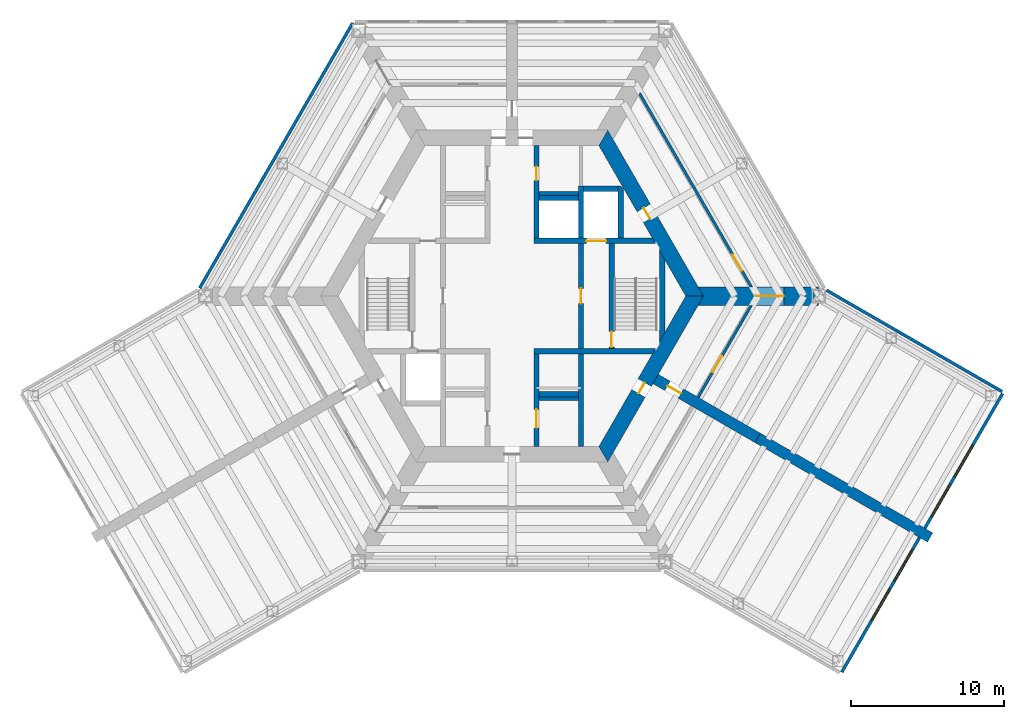
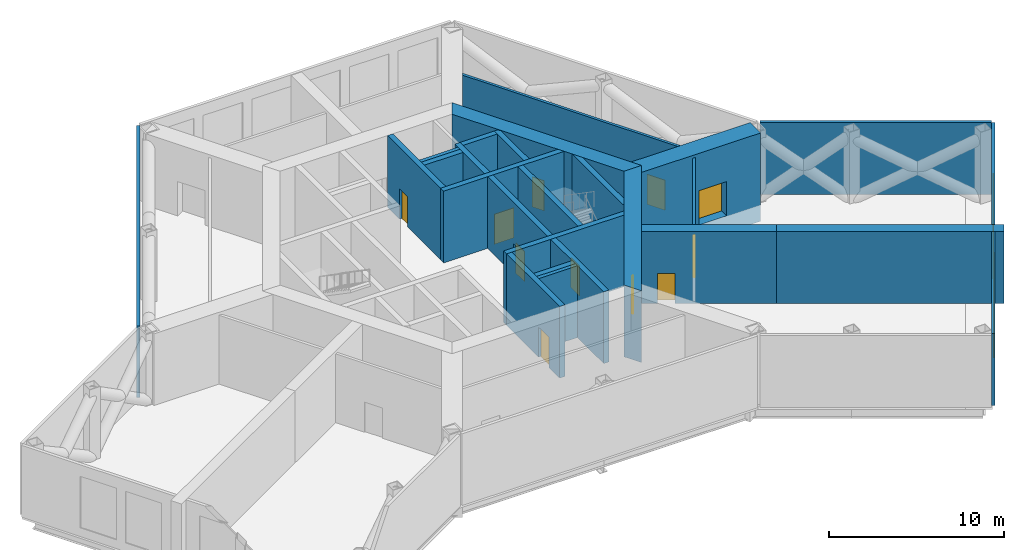
# One storey, part 5 of 8: 26 walls, 11 doors, 4 windows, 15 openings.
"""IFC4 building model written with IfcOpenShell, lengths in metres."""

from ifc_helpers import new_model, si_unit, direction, frame, frame_2d, origin, place, context, subcontext, project, spatial, polyline, rectangle, outline, extrude, material, layer, layer_set, type_object, element, fill, save


model = new_model("IFC4")

# Units and contexts
model_context = context("Model", 3, precision=1e-05, world=origin(), true_north=direction((0.0, 1.0)))
body_context = subcontext(model_context, "Body", "Model", "MODEL_VIEW")
ifc_project = project(units=[si_unit("LENGTHUNIT", "METRE"), si_unit("AREAUNIT", "SQUARE_METRE"), si_unit("VOLUMEUNIT", "CUBIC_METRE"), si_unit("PLANEANGLEUNIT", "RADIAN"), si_unit("MASSUNIT", "GRAM", prefix="KILO")], contexts=[model_context])

# Site, building, storey
site_placement = place(None, origin())
site = spatial("IfcSite", under=ifc_project, at=site_placement, CompositionType="ELEMENT")
building_placement = place(site_placement, origin())
building = spatial("IfcBuilding", under=site, at=building_placement, Name="Kasaneha Research Tower", CompositionType="ELEMENT")
storey_placement = place(building_placement, frame((0.0, 0.0, 203.300048828125)))
storey = spatial("IfcBuildingStorey", under=building, at=storey_placement, Name="L51", CompositionType="ELEMENT", Elevation=203.300048828125)

# Wall, opening, door
ifc_material_1 = material(Name="Concrete Fc70", Category="concrete")
ifc_layer_1 = layer(ifc_material_1, 0.35009765625)
ifc_layer_set_1 = layer_set([ifc_layer_1], Name="Core internal wall 350 Fc70")
wall_type_1 = type_object("IfcWallType", Name="Core internal wall 350 Fc70", PredefinedType="SHEAR", material=ifc_layer_set_1)
wall_1_placement = place(storey_placement, frame((1.425048828125, 3.60009765625, 0.0), z_axis=(0.0, 0.0, 1.0), x_axis=(1.0, 0.0, 0.0)))
wall_1 = element("IfcWall", 1, at=wall_1_placement, inside=storey, type_object=wall_type_1, Name="Core wall W1E L51", PredefinedType="SHEAR", context=body_context, shape_type="SweptSolid", body=[
    extrude(outline(polyline([(0.0, -0.175048828125), (3.425048828125, -0.175048828125), (4.72509765625, -0.175048828125), (7.9423828125, -0.175048828125), (7.740234375, 0.175048828125), (4.72509765625, 0.175048828125), (3.425048828125, 0.175048828125), (0.0, 0.175048828125), (0.0, -0.175048828125)])), origin(), (0.0, 0.0, 1.0), 5.0),
])
opening_1_placement = place(wall_1_placement, frame((3.425048828125, 0.0, 0.0)))
opening_1 = element("IfcOpeningElement", 2, at=opening_1_placement, cuts=wall_1, Name="Opening LD-FL1-L51", PredefinedType="OPENING", context=body_context, shape_type="SweptSolid", body=[
    extrude(rectangle(XDim=1.300048828125, YDim=2.10009765625, at=frame_2d((0.64990234375, 1.050048828125))), frame((0.0, 0.18505859375, 0.0), z_axis=(0.0, -1.0, 0.0), x_axis=(1.0, 0.0, 0.0)), (0.0, 0.0, 1.0), 0.3701171875),
])
ifc_material_2 = material(Name="Steel", Category="steel")
door_type_1 = type_object("IfcDoorType", Name="Lift landing door 1300x2100", OperationType="DOUBLE_DOOR_SLIDING", PredefinedType="DOOR", material=ifc_material_2)
door_1_placement = place(opening_1_placement, origin())
door_1 = element("IfcDoor", 3, at=door_1_placement, inside=storey, type_object=door_type_1, Name="Landing door FL1 LD-FL1-L51", OperationType="DOUBLE_DOOR_SLIDING", OverallHeight=2.10009765625, OverallWidth=1.300048828125, PredefinedType="DOOR", context=body_context, shape_type="SweptSolid", body=[
    extrude(rectangle(XDim=1.300048828125, YDim=2.10009765625, at=frame_2d((0.64990234375, 1.050048828125))), frame((0.0, 0.02490234375, 0.0), z_axis=(0.0, -1.0, 0.0), x_axis=(1.0, 0.0, 0.0)), (0.0, 0.0, 1.0), 0.050048828125),
])
fill(opening_1, door_1)

# Wall
wall_2_placement = place(storey_placement, frame((1.425048828125, -3.60009765625, 0.0), z_axis=(0.0, 0.0, 1.0), x_axis=(1.0, 0.0, 0.0)))
element("IfcWall", 4, at=wall_2_placement, inside=storey, type_object=wall_type_1, Name="Core wall W2E L51", PredefinedType="SHEAR", context=body_context, shape_type="SweptSolid", body=[
    extrude(outline(polyline([(0.0, -0.175048828125), (7.740234375, -0.175048828125), (7.9423828125, 0.175048828125), (0.0, 0.175048828125), (0.0, -0.175048828125)])), origin(), (0.0, 0.0, 1.0), 5.0),
])

# Wall, opening, door
wall_3_placement = place(storey_placement, frame((1.60009765625, 3.77490234375, 0.0), z_axis=(0.0, 0.0, 1.0), x_axis=(0.0, 1.0, 0.0)))
wall_3 = element("IfcWall", 5, at=wall_3_placement, inside=storey, type_object=wall_type_1, Name="Core wall CNE L51", PredefinedType="SHEAR", context=body_context, shape_type="SweptSolid", body=[
    extrude(rectangle(XDim=6.050048828125, YDim=0.35009765625, at=frame_2d((3.02490234375, 0.0))), origin(), (0.0, 0.0, 1.0), 5.0),
])
opening_2_placement = place(wall_3_placement, frame((3.77490234375, 0.0, 0.0)))
opening_2 = element("IfcOpeningElement", 6, at=opening_2_placement, cuts=wall_3, Name="Opening L51-D14", PredefinedType="OPENING", context=body_context, shape_type="SweptSolid", body=[
    extrude(rectangle(XDim=0.89990234375, YDim=2.10009765625, at=frame_2d((0.449951171875, 1.050048828125))), frame((0.0, 0.18505859375, 0.0), z_axis=(0.0, -1.0, 0.0), x_axis=(1.0, 0.0, 0.0)), (0.0, 0.0, 1.0), 0.3701171875),
])
ifc_material_3 = material(Name="Steel", Category="steel")
door_type_2 = type_object("IfcDoorType", Name="Toilet door FD20 900x2100", OperationType="NOTDEFINED", PredefinedType="DOOR", material=ifc_material_3)
door_2_placement = place(opening_2_placement, origin())
door_2 = element("IfcDoor", 7, at=door_2_placement, inside=storey, type_object=door_type_2, Name="Women's WC door L51-D14", OperationType="SINGLE_SWING_LEFT", OverallHeight=2.10009765625, OverallWidth=0.89990234375, PredefinedType="DOOR", context=body_context, shape_type="SweptSolid", body=[
    extrude(rectangle(XDim=0.89990234375, YDim=2.10009765625, at=frame_2d((0.449951171875, 1.050048828125))), frame((0.0, 0.02490234375, 0.0), z_axis=(0.0, -1.0, 0.0), x_axis=(1.0, 0.0, 0.0)), (0.0, 0.0, 1.0), 0.050048828125),
])
fill(opening_2, door_2)

wall_4_placement = place(storey_placement, frame((1.60009765625, -3.77490234375, 0.0), z_axis=(0.0, 0.0, 1.0), x_axis=(0.0, -1.0, 0.0)))
wall_4 = element("IfcWall", 8, at=wall_4_placement, inside=storey, type_object=wall_type_1, Name="Core wall CSE L51", PredefinedType="SHEAR", context=body_context, shape_type="SweptSolid", body=[
    extrude(rectangle(XDim=6.050048828125, YDim=0.35009765625, at=frame_2d((3.02490234375, 0.0))), origin(), (0.0, 0.0, 1.0), 5.0),
])
opening_3_placement = place(wall_4_placement, frame((3.625, 0.0, 0.0)))
opening_3 = element("IfcOpeningElement", 9, at=opening_3_placement, cuts=wall_4, Name="Opening L51-D15", PredefinedType="OPENING", context=body_context, shape_type="SweptSolid", body=[
    extrude(rectangle(XDim=1.199951171875, YDim=2.10009765625, at=frame_2d((0.60009765625, 1.050048828125))), frame((0.0, 0.18505859375, 0.0), z_axis=(0.0, -1.0, 0.0), x_axis=(1.0, 0.0, 0.0)), (0.0, 0.0, 1.0), 0.3701171875),
])
ifc_material_4 = material(Name="Steel", Category="steel")
door_type_3 = type_object("IfcDoorType", Name="Accessible toilet sliding door FD20 1200x2100", OperationType="SLIDING_TO_LEFT", PredefinedType="DOOR", material=ifc_material_4)
door_3_placement = place(opening_3_placement, origin())
door_3 = element("IfcDoor", 10, at=door_3_placement, inside=storey, type_object=door_type_3, Name="Accessible WC door L51-D15", OperationType="SLIDING_TO_LEFT", OverallHeight=2.10009765625, OverallWidth=1.199951171875, PredefinedType="DOOR", context=body_context, shape_type="SweptSolid", body=[
    extrude(rectangle(XDim=1.199951171875, YDim=2.10009765625, at=frame_2d((0.60009765625, 1.050048828125))), frame((0.0, 0.02490234375, 0.0), z_axis=(0.0, -1.0, 0.0), x_axis=(1.0, 0.0, 0.0)), (0.0, 0.0, 1.0), 0.050048828125),
])
fill(opening_3, door_3)

wall_5_placement = place(storey_placement, frame((4.5, -3.425048828125, 0.0), z_axis=(0.0, 0.0, 1.0), x_axis=(0.0, 1.0, 0.0)))
wall_5 = element("IfcWall", 11, at=wall_5_placement, inside=storey, type_object=wall_type_1, Name="Core wall LBE L51", PredefinedType="SHEAR", context=body_context, shape_type="SweptSolid", body=[
    extrude(rectangle(XDim=6.85009765625, YDim=0.35009765625, at=frame_2d((3.425048828125, 0.0))), origin(), (0.0, 0.0, 1.0), 5.0),
])
opening_4_placement = place(wall_5_placement, frame((2.925048828125, 0.0, 0.0)))
opening_4 = element("IfcOpeningElement", 12, at=opening_4_placement, cuts=wall_5, Name="Opening L51-D08", PredefinedType="OPENING", context=body_context, shape_type="SweptSolid", body=[
    extrude(rectangle(XDim=1.0, YDim=2.10009765625, at=frame_2d((0.5, 1.050048828125))), frame((0.0, 0.18505859375, 0.0), z_axis=(0.0, -1.0, 0.0), x_axis=(1.0, 0.0, 0.0)), (0.0, 0.0, 1.0), 0.3701171875),
])
ifc_material_5 = material(Name="Steel", Category="steel")
door_type_4 = type_object("IfcDoorType", Name="Specified fire door FD60 1000x2100", OperationType="NOTDEFINED", PredefinedType="DOOR", material=ifc_material_5)
door_4_placement = place(opening_4_placement, origin())
door_4 = element("IfcDoor", 13, at=door_4_placement, inside=storey, type_object=door_type_4, Name="Lift lobby door east L51-D08", OperationType="SINGLE_SWING_LEFT", OverallHeight=2.10009765625, OverallWidth=1.0, PredefinedType="DOOR", context=body_context, shape_type="SweptSolid", body=[
    extrude(rectangle(XDim=1.0, YDim=2.10009765625, at=frame_2d((0.5, 1.050048828125))), frame((0.0, 0.02490234375, 0.0), z_axis=(0.0, -1.0, 0.0), x_axis=(1.0, 0.0, 0.0)), (0.0, 0.0, 1.0), 0.050048828125),
])
fill(opening_4, door_4)

wall_6_placement = place(storey_placement, frame((6.5, -3.425048828125, 0.0), z_axis=(0.0, 0.0, 1.0), x_axis=(0.0, 1.0, 0.0)))
wall_6 = element("IfcWall", 14, at=wall_6_placement, inside=storey, type_object=wall_type_1, Name="Core wall ANE L51", PredefinedType="SHEAR", context=body_context, shape_type="SweptSolid", body=[
    extrude(rectangle(XDim=6.85009765625, YDim=0.35009765625, at=frame_2d((3.425048828125, 0.0))), origin(), (0.0, 0.0, 1.0), 5.0),
])
opening_5_placement = place(wall_6_placement, frame((0.10009765625, 0.0, 0.0)))
opening_5 = element("IfcOpeningElement", 15, at=opening_5_placement, cuts=wall_6, Name="Opening L51-D10", PredefinedType="OPENING", context=body_context, shape_type="SweptSolid", body=[
    extrude(rectangle(XDim=1.0, YDim=2.10009765625, at=frame_2d((0.5, 1.050048828125))), frame((0.0, 0.18505859375, 0.0), z_axis=(0.0, -1.0, 0.0), x_axis=(1.0, 0.0, 0.0)), (0.0, 0.0, 1.0), 0.3701171875),
])
door_5_placement = place(opening_5_placement, origin())
door_5 = element("IfcDoor", 16, at=door_5_placement, inside=storey, type_object=door_type_4, Name="Stair 1 door L51-D10", OperationType="SINGLE_SWING_LEFT", OverallHeight=2.10009765625, OverallWidth=1.0, PredefinedType="DOOR", context=body_context, shape_type="SweptSolid", body=[
    extrude(rectangle(XDim=1.0, YDim=2.10009765625, at=frame_2d((0.5, 1.050048828125))), frame((0.0, 0.02490234375, 0.0), z_axis=(0.0, -1.0, 0.0), x_axis=(1.0, 0.0, 0.0)), (0.0, 0.0, 1.0), 0.050048828125),
])
fill(opening_5, door_5)

# Walls
wall_7_placement = place(storey_placement, frame((4.5, 3.77490234375, 0.0), z_axis=(0.0, 0.0, 1.0), x_axis=(0.0, 1.0, 0.0)))
element("IfcWall", 17, at=wall_7_placement, inside=storey, type_object=wall_type_1, Name="Core wall FNE L51", PredefinedType="SHEAR", context=body_context, shape_type="SweptSolid", body=[
    extrude(rectangle(XDim=3.400146484375, YDim=0.35009765625, at=frame_2d((1.7001953125, 0.0))), origin(), (0.0, 0.0, 1.0), 5.0),
])
wall_8_placement = place(storey_placement, frame((4.5, -3.77490234375, 0.0), z_axis=(0.0, 0.0, 1.0), x_axis=(0.0, -1.0, 0.0)))
element("IfcWall", 18, at=wall_8_placement, inside=storey, type_object=wall_type_1, Name="Core wall SSE L51", PredefinedType="SHEAR", context=body_context, shape_type="SweptSolid", body=[
    extrude(rectangle(XDim=6.050048828125, YDim=0.35009765625, at=frame_2d((3.02490234375, 0.0))), origin(), (0.0, 0.0, 1.0), 5.0),
])
for number, where, z_axis, x_axis, name in (
    (19, (1.77490234375, 6.39990234375, 0.0), (0.0, 0.0, 1.0), (1.0, 0.0, 0.0), "Core wall N3N L51"),
    (20, (1.77490234375, -6.39990234375, 0.0), (0.0, 0.0, 1.0), (1.0, 0.0, 0.0), "Core wall S3S L51"),
):
    element("IfcWall", number, at=place(storey_placement, frame(where, z_axis=z_axis, x_axis=x_axis)), inside=storey, type_object=wall_type_1, Name=name, PredefinedType="SHEAR", context=body_context, shape_type="SweptSolid", body=[
        extrude(rectangle(XDim=2.550048828125, YDim=0.35009765625, at=frame_2d((1.27490234375, 0.0))), origin(), (0.0, 0.0, 1.0), 5.0),
    ])
wall_9_placement = place(storey_placement, frame((4.675048828125, 7.0, 0.0), z_axis=(0.0, 0.0, 1.0), x_axis=(1.0, 0.0, 0.0)))
element("IfcWall", 21, at=wall_9_placement, inside=storey, type_object=wall_type_1, Name="Core wall F1N L51", PredefinedType="SHEAR", context=body_context, shape_type="SweptSolid", body=[
    extrude(rectangle(XDim=2.25, YDim=0.35009765625, at=frame_2d((1.125, 0.0))), origin(), (0.0, 0.0, 1.0), 5.0),
])
wall_10_placement = place(storey_placement, frame((7.10009765625, 3.77490234375, 0.0), z_axis=(0.0, 0.0, 1.0), x_axis=(0.0, 1.0, 0.0)))
element("IfcWall", 22, at=wall_10_placement, inside=storey, type_object=wall_type_1, Name="Core wall F1E L51", PredefinedType="SHEAR", context=body_context, shape_type="SweptSolid", body=[
    extrude(outline(polyline([(0.0, -0.175048828125), (3.2744140625, -0.175048828125), (3.400146484375, 0.0), (3.400146484375, 0.175048828125), (0.0, 0.175048828125), (0.0, -0.175048828125)])), origin(), (0.0, 0.0, 1.0), 5.0),
])
wall_11_placement = place(storey_placement, frame((9.807861328125, -2.662353515625, 0.0), z_axis=(0.0, 0.0, 1.0), x_axis=(0.0, 1.0, 0.0)))
element("IfcWall", 23, at=wall_11_placement, inside=storey, type_object=wall_type_1, Name="Core wall STE L51", PredefinedType="SHEAR", context=body_context, shape_type="SweptSolid", body=[
    extrude(outline(polyline([(0.30322265625, -0.175048828125), (5.021484375, -0.175048828125), (5.6279296875, 0.175048828125), (-0.30322265625, 0.175048828125), (0.30322265625, -0.175048828125)])), origin(), (0.0, 0.0, 1.0), 5.0),
])

# Wall, opening, door
ifc_material_6 = material(Name="Concrete Fc70", Category="concrete")
ifc_layer_2 = layer(ifc_material_6, 1.0)
ifc_layer_set_2 = layer_set([ifc_layer_2], Name="Core wall 1000 Fc70")
wall_type_2 = type_object("IfcWallType", Name="Core wall 1000 Fc70", PredefinedType="SHEAR", material=ifc_layer_set_2)
wall_12_placement = place(storey_placement, frame((11.92236328125, 0.0, 0.0), z_axis=(0.0, 0.0, 1.0), x_axis=(-0.500004296715, 0.866022923061, 0.0)))
wall_12 = element("IfcWall", 24, at=wall_12_placement, inside=storey, type_object=wall_type_2, Name="Core wall 030 L51", PredefinedType="SHEAR", context=body_context, shape_type="SweptSolid", body=[
    extrude(outline(polyline([(-0.28857421875, -0.5), (5.83544921875, -0.5), (6.635498046875, -0.5), (12.2109375, -0.5), (11.6337890625, 0.5), (6.635498046875, 0.5), (5.83544921875, 0.5), (0.28857421875, 0.5), (-0.28857421875, -0.5)])), origin(), (0.0, 0.0, 1.0), 5.0),
])
opening_6_placement = place(wall_12_placement, frame((5.83544921875, 0.0, 0.0)))
opening_6 = element("IfcOpeningElement", 25, at=opening_6_placement, cuts=wall_12, Name="Opening L51-D04", PredefinedType="OPENING", context=body_context, shape_type="SweptSolid", body=[
    extrude(rectangle(XDim=0.800048828125, YDim=2.10009765625, at=frame_2d((0.39990234375, 1.050048828125))), frame((0.0, 0.510009765625, 0.0), z_axis=(0.0, -1.0, 0.0), x_axis=(1.0, 0.0, 0.0)), (0.0, 0.0, 1.0), 1.02001953125),
])
ifc_material_7 = material(Name="Steel", Category="steel")
door_type_5 = type_object("IfcDoorType", Name="Riser access door FD60 800x2100", OperationType="NOTDEFINED", PredefinedType="DOOR", material=ifc_material_7)
door_6_placement = place(opening_6_placement, origin())
door_6 = element("IfcDoor", 26, at=door_6_placement, inside=storey, type_object=door_type_5, Name="Pipe riser door L51-D04", OperationType="SINGLE_SWING_RIGHT", OverallHeight=2.10009765625, OverallWidth=0.800048828125, PredefinedType="DOOR", context=body_context, shape_type="SweptSolid", body=[
    extrude(rectangle(XDim=0.800048828125, YDim=2.10009765625, at=frame_2d((0.39990234375, 1.050048828125))), frame((0.0, 0.02490234375, 0.0), z_axis=(0.0, -1.0, 0.0), x_axis=(1.0, 0.0, 0.0)), (0.0, 0.0, 1.0), 0.050048828125),
])
fill(opening_6, door_6)

wall_13_placement = place(storey_placement, frame((5.961181640625, -10.324951171875, 0.0), z_axis=(0.0, 0.0, 1.0), x_axis=(0.500004296715, 0.866022923061, 0.0)))
wall_13 = element("IfcWall", 27, at=wall_13_placement, inside=storey, type_object=wall_type_2, Name="Core wall 330 L51", PredefinedType="SHEAR", context=body_context, shape_type="SweptSolid", body=[
    extrude(outline(polyline([(-0.28857421875, -0.5), (4.593994140625, -0.5), (5.39404296875, -0.5), (12.2109375, -0.5), (11.6337890625, 0.5), (5.39404296875, 0.5), (4.593994140625, 0.5), (0.28857421875, 0.5), (-0.28857421875, -0.5)])), origin(), (0.0, 0.0, 1.0), 5.0),
])
opening_7_placement = place(wall_13_placement, frame((4.593994140625, 0.0, 0.0)))
opening_7 = element("IfcOpeningElement", 28, at=opening_7_placement, cuts=wall_13, Name="Opening L51-D05", PredefinedType="OPENING", context=body_context, shape_type="SweptSolid", body=[
    extrude(rectangle(XDim=0.800048828125, YDim=2.10009765625, at=frame_2d((0.39990234375, 1.050048828125))), frame((0.0, 0.510009765625, 0.0), z_axis=(0.0, -1.0, 0.0), x_axis=(1.0, 0.0, 0.0)), (0.0, 0.0, 1.0), 1.02001953125),
])
door_7_placement = place(opening_7_placement, origin())
door_7 = element("IfcDoor", 29, at=door_7_placement, inside=storey, type_object=door_type_5, Name="Pipe riser door L51-D05", OperationType="SINGLE_SWING_LEFT", OverallHeight=2.10009765625, OverallWidth=0.800048828125, PredefinedType="DOOR", context=body_context, shape_type="SweptSolid", body=[
    extrude(rectangle(XDim=0.800048828125, YDim=2.10009765625, at=frame_2d((0.39990234375, 1.050048828125))), frame((0.0, 0.02490234375, 0.0), z_axis=(0.0, -1.0, 0.0), x_axis=(1.0, 0.0, 0.0)), (0.0, 0.0, 1.0), 0.050048828125),
])
fill(opening_7, door_7)

# Wall, openings, windows
ifc_material_8 = material(Name="Terracotta cladding on steel frame", Category="masonry")
ifc_layer_3 = layer(ifc_material_8, 0.199951171875)
ifc_layer_set_3 = layer_set([ifc_layer_3], Name="Louvred plant wall 200")
wall_type_3 = type_object("IfcWallType", Name="Louvred plant wall 200", PredefinedType="ELEMENTEDWALL", material=ifc_layer_set_3)
wall_14_placement = place(storey_placement, frame((21.52783203125, -24.553466796875, 0.0), z_axis=(0.0, 0.0, 1.0), x_axis=(0.500019499409, 0.866014145503, 0.0)))
wall_14 = element("IfcWall", 30, at=wall_14_placement, inside=storey, type_object=wall_type_3, Name="Louvred plant wall L51", PredefinedType="ELEMENTEDWALL", context=body_context, shape_type="SweptSolid", body=[
    extrude(rectangle(XDim=10.14990234375, YDim=0.199951171875, at=frame_2d((5.074951171875, 0.0))), origin(), (0.0, 0.0, 1.0), 5.0),
])
opening_8_placement = place(wall_14_placement, frame((3.88330078125, 0.0, 0.60009765625)))
opening_8 = element("IfcOpeningElement", 31, at=opening_8_placement, cuts=wall_14, Name="Opening LV4", PredefinedType="OPENING", context=body_context, shape_type="SweptSolid", body=[
    extrude(rectangle(XDim=2.38330078125, YDim=3.60009765625, at=frame_2d((1.191650390625, 1.800048828125))), frame((0.0, 0.10986328125, 0.0), z_axis=(0.0, -1.0, 0.0), x_axis=(1.0, 0.0, 0.0)), (0.0, 0.0, 1.0), 0.219970703125),
])
opening_9_placement = place(wall_14_placement, frame((6.86669921875, 0.0, 0.60009765625)))
opening_9 = element("IfcOpeningElement", 32, at=opening_9_placement, cuts=wall_14, Name="Opening LV4", PredefinedType="OPENING", context=body_context, shape_type="SweptSolid", body=[
    extrude(rectangle(XDim=2.38330078125, YDim=3.60009765625, at=frame_2d((1.191650390625, 1.800048828125))), frame((0.0, 0.10986328125, 0.0), z_axis=(0.0, -1.0, 0.0), x_axis=(1.0, 0.0, 0.0)), (0.0, 0.0, 1.0), 0.219970703125),
])
ifc_material_9 = material(Name="Aluminium 6063-T6", Category="aluminium")
window_type = type_object("IfcWindowType", Name="Louvre 2383x3600", PartitioningType="SINGLE_PANEL", PredefinedType="USERDEFINED", material=ifc_material_9)
window_1_placement = place(opening_8_placement, origin())
window_1 = element("IfcWindow", 33, at=window_1_placement, inside=storey, type_object=window_type, Name="Plant louvre L51 2", ObjectType="LOUVRE", OverallHeight=3.60009765625, OverallWidth=2.38330078125, PartitioningType="SINGLE_PANEL", PredefinedType="USERDEFINED", context=body_context, shape_type="SweptSolid", body=[
    extrude(rectangle(XDim=2.38330078125, YDim=3.60009765625, at=frame_2d((1.191650390625, 1.800048828125))), frame((0.0, 0.030029296875, 0.0), z_axis=(0.0, -1.0, 0.0), x_axis=(1.0, 0.0, 0.0)), (0.0, 0.0, 1.0), 0.06005859375),
])
fill(opening_8, window_1)
window_2_placement = place(opening_9_placement, origin())
window_2 = element("IfcWindow", 34, at=window_2_placement, inside=storey, type_object=window_type, Name="Plant louvre L51 3", ObjectType="LOUVRE", OverallHeight=3.60009765625, OverallWidth=2.38330078125, PartitioningType="SINGLE_PANEL", PredefinedType="USERDEFINED", context=body_context, shape_type="SweptSolid", body=[
    extrude(rectangle(XDim=2.38330078125, YDim=3.60009765625, at=frame_2d((1.191650390625, 1.800048828125))), frame((0.0, 0.030029296875, 0.0), z_axis=(0.0, -1.0, 0.0), x_axis=(1.0, 0.0, 0.0)), (0.0, 0.0, 1.0), 0.06005859375),
])
fill(opening_9, window_2)

wall_15_placement = place(storey_placement, frame((26.952880859375, -15.1572265625, 0.0), z_axis=(0.0, 0.0, 1.0), x_axis=(0.499991044257, 0.866030574324, 0.0)))
wall_15 = element("IfcWall", 35, at=wall_15_placement, inside=storey, type_object=wall_type_3, Name="Louvred plant wall L51", PredefinedType="ELEMENTEDWALL", context=body_context, shape_type="SweptSolid", body=[
    extrude(rectangle(XDim=10.150146484375, YDim=0.199951171875, at=frame_2d((5.0751953125, 0.0))), origin(), (0.0, 0.0, 1.0), 5.0),
])
opening_10_placement = place(wall_15_placement, frame((0.89990234375, 0.0, 0.60009765625)))
opening_10 = element("IfcOpeningElement", 36, at=opening_10_placement, cuts=wall_15, Name="Opening LV4", PredefinedType="OPENING", context=body_context, shape_type="SweptSolid", body=[
    extrude(rectangle(XDim=2.38330078125, YDim=3.60009765625, at=frame_2d((1.191650390625, 1.800048828125))), frame((0.0, 0.10986328125, 0.0), z_axis=(0.0, -1.0, 0.0), x_axis=(1.0, 0.0, 0.0)), (0.0, 0.0, 1.0), 0.219970703125),
])
opening_11_placement = place(wall_15_placement, frame((3.88330078125, 0.0, 0.60009765625)))
opening_11 = element("IfcOpeningElement", 37, at=opening_11_placement, cuts=wall_15, Name="Opening LV4", PredefinedType="OPENING", context=body_context, shape_type="SweptSolid", body=[
    extrude(rectangle(XDim=2.38330078125, YDim=3.60009765625, at=frame_2d((1.191650390625, 1.800048828125))), frame((0.0, 0.10986328125, 0.0), z_axis=(0.0, -1.0, 0.0), x_axis=(1.0, 0.0, 0.0)), (0.0, 0.0, 1.0), 0.219970703125),
])
window_3_placement = place(opening_10_placement, origin())
window_3 = element("IfcWindow", 38, at=window_3_placement, inside=storey, type_object=window_type, Name="Plant louvre L51 1", ObjectType="LOUVRE", OverallHeight=3.60009765625, OverallWidth=2.38330078125, PartitioningType="SINGLE_PANEL", PredefinedType="USERDEFINED", context=body_context, shape_type="SweptSolid", body=[
    extrude(rectangle(XDim=2.38330078125, YDim=3.60009765625, at=frame_2d((1.191650390625, 1.800048828125))), frame((0.0, 0.030029296875, 0.0), z_axis=(0.0, -1.0, 0.0), x_axis=(1.0, 0.0, 0.0)), (0.0, 0.0, 1.0), 0.06005859375),
])
fill(opening_10, window_3)
window_4_placement = place(opening_11_placement, origin())
window_4 = element("IfcWindow", 39, at=window_4_placement, inside=storey, type_object=window_type, Name="Plant louvre L51 2", ObjectType="LOUVRE", OverallHeight=3.60009765625, OverallWidth=2.38330078125, PartitioningType="SINGLE_PANEL", PredefinedType="USERDEFINED", context=body_context, shape_type="SweptSolid", body=[
    extrude(rectangle(XDim=2.38330078125, YDim=3.60009765625, at=frame_2d((1.191650390625, 1.800048828125))), frame((0.0, 0.030029296875, 0.0), z_axis=(0.0, -1.0, 0.0), x_axis=(1.0, 0.0, 0.0)), (0.0, 0.0, 1.0), 0.06005859375),
])
fill(opening_11, window_4)

# Walls
wall_16_placement = place(storey_placement, frame((31.991455078125, -6.23046875, 0.0), z_axis=(0.0, 0.0, 1.0), x_axis=(-0.86602620781, 0.499998607384, 0.0)))
element("IfcWall", 40, at=wall_16_placement, inside=storey, type_object=wall_type_3, Name="Louvred plant wall L51", PredefinedType="ELEMENTEDWALL", context=body_context, shape_type="SweptSolid", body=[
    extrude(rectangle(XDim=13.2392578125, YDim=0.199951171875, at=frame_2d((6.61962890625, 0.0))), origin(), (0.0, 0.0, 1.0), 5.0),
])
wall_17_placement = place(storey_placement, frame((-10.396484375, 17.833984375, 0.0), z_axis=(0.0, 0.0, 1.0), x_axis=(-0.499993861681, -0.866028947716, 0.0)))
element("IfcWall", 41, at=wall_17_placement, inside=storey, type_object=wall_type_3, Name="Louvred plant wall L51", PredefinedType="ELEMENTEDWALL", context=body_context, shape_type="SweptSolid", body=[
    extrude(rectangle(XDim=19.985595703125, YDim=0.199951171875, at=frame_2d((9.99267578125, 0.0))), origin(), (0.0, 0.0, 1.0), 5.0),
])

# Wall, opening, door
ifc_material_10 = material(Name="Concrete Fc70", Category="concrete")
ifc_layer_4 = layer(ifc_material_10, 1.199951171875)
ifc_layer_set_4 = layer_set([ifc_layer_4], Name="Outrigger wall 1200 Fc70")
wall_type_4 = type_object("IfcWallType", Name="Outrigger wall 1200 Fc70", PredefinedType="SHEAR", material=ifc_layer_set_4)
wall_18_placement = place(storey_placement, frame((12.49951171875, 0.0, -1.150146484375), z_axis=(0.0, 0.0, 1.0), x_axis=(1.0, 0.0, 0.0)))
wall_18 = element("IfcWall", 42, at=wall_18_placement, inside=storey, type_object=wall_type_4, Name="Outrigger wall 000 L51", PredefinedType="SHEAR", context=body_context, shape_type="SweptSolid", body=[
    extrude(outline(polyline([(-0.346435546875, -0.60009765625), (3.453125, -0.60009765625), (5.253173828125, -0.60009765625), (7.50048828125, -0.60009765625), (7.50048828125, 0.60009765625), (5.253173828125, 0.60009765625), (3.453125, 0.60009765625), (-0.346435546875, 0.60009765625), (0.0, 0.0), (-0.346435546875, -0.60009765625)])), origin(), (0.0, 0.0, 1.0), 6.150146484375),
])
opening_12_placement = place(wall_18_placement, frame((3.453125, 0.0, 1.14990234375)))
opening_12 = element("IfcOpeningElement", 43, at=opening_12_placement, cuts=wall_18, Name="Opening L51-D20", PredefinedType="OPENING", context=body_context, shape_type="SweptSolid", body=[
    extrude(rectangle(XDim=1.800048828125, YDim=2.39990234375, at=frame_2d((0.89990234375, 1.199951171875))), frame((0.0, 0.60986328125, 0.0), z_axis=(0.0, -1.0, 0.0), x_axis=(1.0, 0.0, 0.0)), (0.0, 0.0, 1.0), 1.219970703125),
])
ifc_material_11 = material(Name="Steel", Category="steel")
door_type_6 = type_object("IfcDoorType", Name="Plant room double door FD60 1800x2400", OperationType="DOUBLE_DOOR_SINGLE_SWING", PredefinedType="DOOR", material=ifc_material_11)
door_8_placement = place(opening_12_placement, origin())
door_8 = element("IfcDoor", 44, at=door_8_placement, inside=storey, type_object=door_type_6, Name="Plant room door L51-D20", OperationType="DOUBLE_DOOR_SINGLE_SWING", OverallHeight=2.39990234375, OverallWidth=1.800048828125, PredefinedType="DOOR", context=body_context, shape_type="SweptSolid", body=[
    extrude(rectangle(XDim=1.800048828125, YDim=2.39990234375, at=frame_2d((0.89990234375, 1.199951171875))), frame((0.0, 0.02490234375, 0.0), z_axis=(0.0, -1.0, 0.0), x_axis=(1.0, 0.0, 0.0)), (0.0, 0.0, 1.0), 0.050048828125),
])
fill(opening_12, door_8)

ifc_material_12 = material(Name="Gypsum board on steel studs, two layers each side", Category="steel")
ifc_layer_5 = layer(ifc_material_12, 0.175048828125)
ifc_layer_set_5 = layer_set([ifc_layer_5], Name="Refuge fire partition 175")
wall_type_5 = type_object("IfcWallType", Name="Refuge fire partition 175", PredefinedType="PARTITIONING", material=ifc_layer_set_5)
wall_19_placement = place(storey_placement, frame((15.6171875, 0.60009765625, 0.0), z_axis=(0.0, 0.0, 1.0), x_axis=(-0.499988229334, 0.866032199475, 0.0)))
wall_19 = element("IfcWall", 45, at=wall_19_placement, inside=storey, type_object=wall_type_5, Name="Refuge fire partition RFAE01 L51", PredefinedType="PARTITIONING", context=body_context, shape_type="SweptSolid", body=[
    extrude(outline(polyline([(-0.050537109375, -0.08740234375), (1.212890625, -0.08740234375), (2.412841796875, -0.08740234375), (14.62841796875, -0.08740234375), (14.52734375, 0.08740234375), (2.412841796875, 0.08740234375), (1.212890625, 0.08740234375), (0.050537109375, 0.08740234375), (-0.050537109375, -0.08740234375)])), origin(), (0.0, 0.0, 1.0), 4.800048828125),
])
opening_13_placement = place(wall_19_placement, frame((1.212890625, 0.0, 0.0)))
opening_13 = element("IfcOpeningElement", 46, at=opening_13_placement, cuts=wall_19, Name="Opening L51-D23", PredefinedType="OPENING", context=body_context, shape_type="SweptSolid", body=[
    extrude(rectangle(XDim=1.199951171875, YDim=2.10009765625, at=frame_2d((0.60009765625, 1.050048828125))), frame((0.0, 0.09765625, 0.0), z_axis=(0.0, -1.0, 0.0), x_axis=(1.0, 0.0, 0.0)), (0.0, 0.0, 1.0), 0.195068359375),
])
ifc_material_13 = material(Name="Steel", Category="steel")
door_type_7 = type_object("IfcDoorType", Name="Laboratory door FD60 1200x2100", OperationType="DOUBLE_DOOR_SINGLE_SWING", PredefinedType="DOOR", material=ifc_material_13)
door_9_placement = place(opening_13_placement, origin())
door_9 = element("IfcDoor", 47, at=door_9_placement, inside=storey, type_object=door_type_7, Name="Plant room door L51-D23", OperationType="DOUBLE_DOOR_SINGLE_SWING", OverallHeight=2.10009765625, OverallWidth=1.199951171875, PredefinedType="DOOR", context=body_context, shape_type="SweptSolid", body=[
    extrude(rectangle(XDim=1.199951171875, YDim=2.10009765625, at=frame_2d((0.60009765625, 1.050048828125))), frame((0.0, 0.02490234375, 0.0), z_axis=(0.0, -1.0, 0.0), x_axis=(1.0, 0.0, 0.0)), (0.0, 0.0, 1.0), 0.050048828125),
])
fill(opening_13, door_9)

wall_20_placement = place(storey_placement, frame((12.150390625, -6.60498046875, 0.0), z_axis=(0.0, 0.0, 1.0), x_axis=(0.499986605379, 0.866033137035, 0.0)))
wall_20 = element("IfcWall", 48, at=wall_20_placement, inside=storey, type_object=wall_type_5, Name="Refuge fire partition RFCE01 L51", PredefinedType="PARTITIONING", context=body_context, shape_type="SweptSolid", body=[
    extrude(outline(polyline([(0.0, -0.08740234375), (1.900146484375, -0.08740234375), (3.10009765625, -0.08740234375), (6.984375, -0.08740234375), (6.88330078125, 0.08740234375), (3.10009765625, 0.08740234375), (1.900146484375, 0.08740234375), (0.0, 0.08740234375), (0.0, -0.08740234375)])), origin(), (0.0, 0.0, 1.0), 4.800048828125),
])
opening_14_placement = place(wall_20_placement, frame((1.900146484375, 0.0, 0.0)))
opening_14 = element("IfcOpeningElement", 49, at=opening_14_placement, cuts=wall_20, Name="Opening L51-D27", PredefinedType="OPENING", context=body_context, shape_type="SweptSolid", body=[
    extrude(rectangle(XDim=1.199951171875, YDim=2.10009765625, at=frame_2d((0.60009765625, 1.050048828125))), frame((0.0, 0.09765625, 0.0), z_axis=(0.0, -1.0, 0.0), x_axis=(1.0, 0.0, 0.0)), (0.0, 0.0, 1.0), 0.195068359375),
])
door_10_placement = place(opening_14_placement, origin())
door_10 = element("IfcDoor", 50, at=door_10_placement, inside=storey, type_object=door_type_7, Name="Plant room door L51-D27", OperationType="DOUBLE_DOOR_SINGLE_SWING", OverallHeight=2.10009765625, OverallWidth=1.199951171875, PredefinedType="DOOR", context=body_context, shape_type="SweptSolid", body=[
    extrude(rectangle(XDim=1.199951171875, YDim=2.10009765625, at=frame_2d((0.60009765625, 1.050048828125))), frame((0.0, 0.02490234375, 0.0), z_axis=(0.0, -1.0, 0.0), x_axis=(1.0, 0.0, 0.0)), (0.0, 0.0, 1.0), 0.050048828125),
])
fill(opening_14, door_10)

ifc_material_14 = material(Name="Concrete Fc70", Category="concrete")
ifc_layer_6 = layer(ifc_material_14, 0.699951171875)
ifc_layer_set_6 = layer_set([ifc_layer_6], Name="Spine wall 700 Fc70")
wall_type_6 = type_object("IfcWallType", Name="Spine wall 700 Fc70", PredefinedType="SHEAR", material=ifc_layer_set_6)
wall_21_placement = place(storey_placement, frame((9.374755859375, -5.41259765625, 0.0), z_axis=(0.0, 0.0, 1.0), x_axis=(0.866032377459, -0.499987921047, 0.0)))
wall_21 = element("IfcWall", 51, at=wall_21_placement, inside=storey, type_object=wall_type_6, Name="Spine wall C L51", PredefinedType="SHEAR", context=body_context, shape_type="SweptSolid", body=[
    extrude(rectangle(XDim=7.695556640625, YDim=0.699951171875, at=frame_2d((3.84765625, 0.0))), origin(), (0.0, 0.0, 1.0), 5.0),
])
opening_15_placement = place(wall_21_placement, frame((0.89990234375, 0.0, 0.0)))
opening_15 = element("IfcOpeningElement", 52, at=opening_15_placement, cuts=wall_21, Name="Opening L51-D19", PredefinedType="OPENING", context=body_context, shape_type="SweptSolid", body=[
    extrude(rectangle(XDim=1.0, YDim=2.10009765625, at=frame_2d((0.5, 1.050048828125))), frame((0.0, 0.35986328125, 0.0), z_axis=(0.0, -1.0, 0.0), x_axis=(1.0, 0.0, 0.0)), (0.0, 0.0, 1.0), 0.719970703125),
])
door_11_placement = place(opening_15_placement, origin())
door_11 = element("IfcDoor", 53, at=door_11_placement, inside=storey, type_object=door_type_4, Name="Spine doorway C L51-D19", OperationType="SINGLE_SWING_LEFT", OverallHeight=2.10009765625, OverallWidth=1.0, PredefinedType="DOOR", context=body_context, shape_type="SweptSolid", body=[
    extrude(rectangle(XDim=1.0, YDim=2.10009765625, at=frame_2d((0.5, 1.050048828125))), frame((0.0, 0.02490234375, 0.0), z_axis=(0.0, -1.0, 0.0), x_axis=(1.0, 0.0, 0.0)), (0.0, 0.0, 1.0), 0.050048828125),
])
fill(opening_15, door_11)

# Walls
wall_22_placement = place(storey_placement, frame((16.039306640625, -9.26025390625, 0.0), z_axis=(0.0, 0.0, 1.0), x_axis=(0.866024837091, -0.50000098154, 0.0)))
element("IfcWall", 54, at=wall_22_placement, inside=storey, type_object=wall_type_6, Name="Spine wall C wing L51", PredefinedType="SHEAR", context=body_context, shape_type="SweptSolid", body=[
    extrude(rectangle(XDim=13.0, YDim=0.699951171875, at=frame_2d((6.5, 0.0))), origin(), (0.0, 0.0, 1.0), 5.0),
])
ifc_material_15 = material(Name="Concrete block lining", Category="concrete")
ifc_layer_7 = layer(ifc_material_15, 0.25)
ifc_layer_set_7 = layer_set([ifc_layer_7], Name="WC plumbing wall 250")
wall_type_7 = type_object("IfcWallType", Name="WC plumbing wall 250", PredefinedType="PLUMBINGWALL", material=ifc_layer_set_7)
for number, where, z_axis, x_axis, name in (
    (55, (1.77490234375, 6.699951171875, 0.0), (0.0, 0.0, 1.0), (1.0, 0.0, 0.0), "WC plumbing wall F L51"),
    (56, (1.77490234375, -6.699951171875, 0.0), (0.0, 0.0, 1.0), (1.0, 0.0, 0.0), "WC plumbing wall A L51"),
):
    element("IfcWall", number, at=place(storey_placement, frame(where, z_axis=z_axis, x_axis=x_axis)), inside=storey, type_object=wall_type_7, Name=name, PredefinedType="PLUMBINGWALL", context=body_context, shape_type="SweptSolid", body=[
        extrude(rectangle(XDim=2.550048828125, YDim=0.25, at=frame_2d((1.27490234375, 0.0))), origin(), (0.0, 0.0, 1.0), 5.0),
    ])

save(model, "model.ifc")
